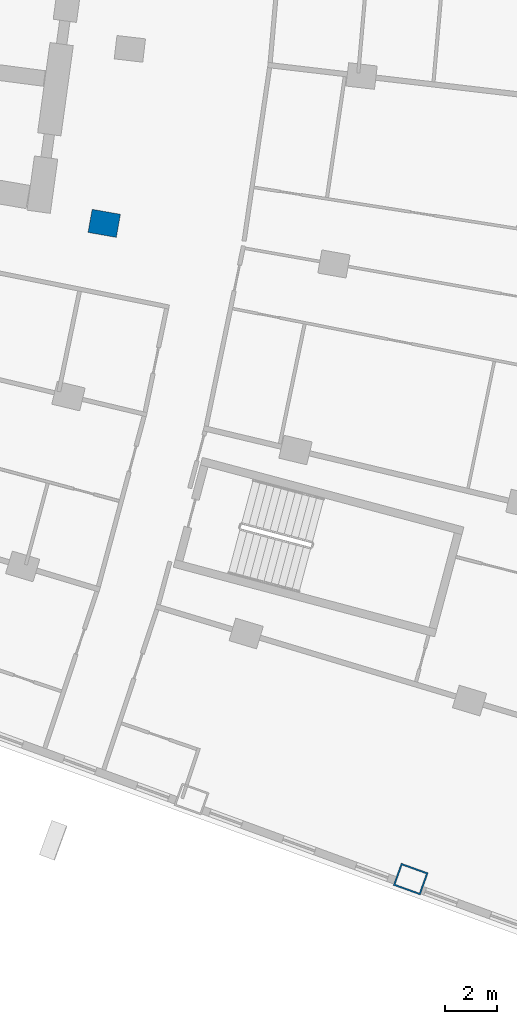
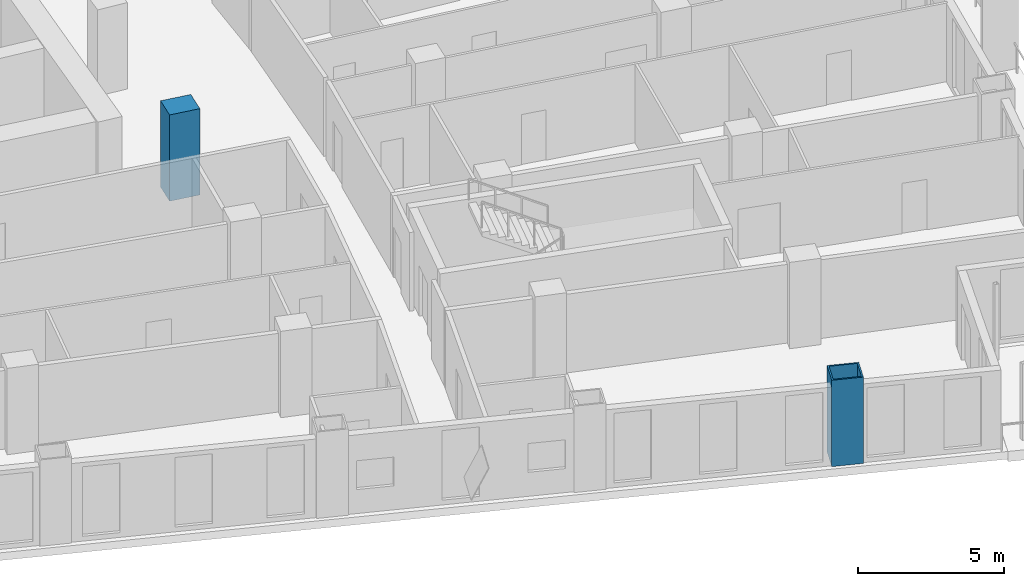
# One storey, part 4 of 25: 2 columns.
"""IFC4 building model written with IfcOpenShell, lengths in metres."""

from ifc_helpers import new_model, si_unit, direction, frame, origin, origin_2d, place, context, subcontext, project, spatial, rectangle, hollow_rectangle, extrude, material, material_profile, profile_set, type_object, element, save


model = new_model("IFC4")

# Units and contexts
model_context = context("Model", 3, precision=1e-05, world=origin(), true_north=direction((0.0, 1.0)))
body_context = subcontext(model_context, "Body", "Model", "MODEL_VIEW")
ifc_project = project(units=[si_unit("LENGTHUNIT", "METRE"), si_unit("AREAUNIT", "SQUARE_METRE"), si_unit("VOLUMEUNIT", "CUBIC_METRE"), si_unit("PLANEANGLEUNIT", "RADIAN"), si_unit("MASSUNIT", "GRAM", prefix="KILO")], contexts=[model_context])

# Site, building, storey
site_placement = place(None, origin())
site = spatial("IfcSite", under=ifc_project, at=site_placement, CompositionType="ELEMENT")
building_placement = place(site_placement, origin())
building = spatial("IfcBuilding", under=site, at=building_placement, Name="Alderwake Tower", CompositionType="ELEMENT")
storey_placement = place(building_placement, frame((0.0, 0.0, 60.800048828125)))
storey = spatial("IfcBuildingStorey", under=building, at=storey_placement, Name="L14", CompositionType="ELEMENT", Elevation=60.800048828125)

# Columns
ifc_material_1 = material(Name="Steel ASTM A572 Grade 50 concrete filled C70/85", Category="concrete")
ifc_material_profile_1 = material_profile(ifc_material_1, hollow_rectangle(XDim=0.89990234375, YDim=1.10009765625, WallThickness=0.06005859375, at=origin_2d()), Name="BOX 1100X900X60")
ifc_profile_set_1 = profile_set([ifc_material_profile_1], Name="Steel ASTM A572 Grade 50 concrete filled C70/85")
column_type_1 = type_object("IfcColumnType", Name="End column Z1", PredefinedType="COLUMN", material=ifc_profile_set_1)
column_1_placement = place(storey_placement, frame((45.767333984375, 15.72998046875, 0.0), z_axis=(0.0, 0.0, 1.0), x_axis=(0.33867716011, 0.940902641733, 0.0)))
element("IfcColumn", 1, at=column_1_placement, inside=storey, type_object=column_type_1, Name="Column R01-C4", PredefinedType="COLUMN", context=body_context, shape_type="SweptSolid", body=[
    extrude(hollow_rectangle(XDim=0.89990234375, YDim=1.10009765625, WallThickness=0.06005859375, at=origin_2d()), origin(), (0.0, 0.0, 1.0), 3.599853515625),
])
ifc_material_2 = material(Name="Concrete C70/85", Category="concrete")
ifc_material_profile_2 = material_profile(ifc_material_2, rectangle(XDim=0.89990234375, YDim=1.10009765625, at=origin_2d()), Name="RC 1100X900")
ifc_profile_set_2 = profile_set([ifc_material_profile_2], Name="Concrete C70/85")
column_type_2 = type_object("IfcColumnType", Name="Interior column Z1", PredefinedType="COLUMN", material=ifc_profile_set_2)
column_2_placement = place(storey_placement, frame((34.03125, 40.83837890625, 0.0), z_axis=(0.0, 0.0, 1.0), x_axis=(0.174108800747, 0.984726421654, 0.0)))
element("IfcColumn", 2, at=column_2_placement, inside=storey, type_object=column_type_2, Name="Column R04-C2", PredefinedType="COLUMN", context=body_context, shape_type="SweptSolid", body=[
    extrude(rectangle(XDim=0.89990234375, YDim=1.10009765625, at=origin_2d()), origin(), (0.0, 0.0, 1.0), 3.599853515625),
])

save(model, "model.ifc")
